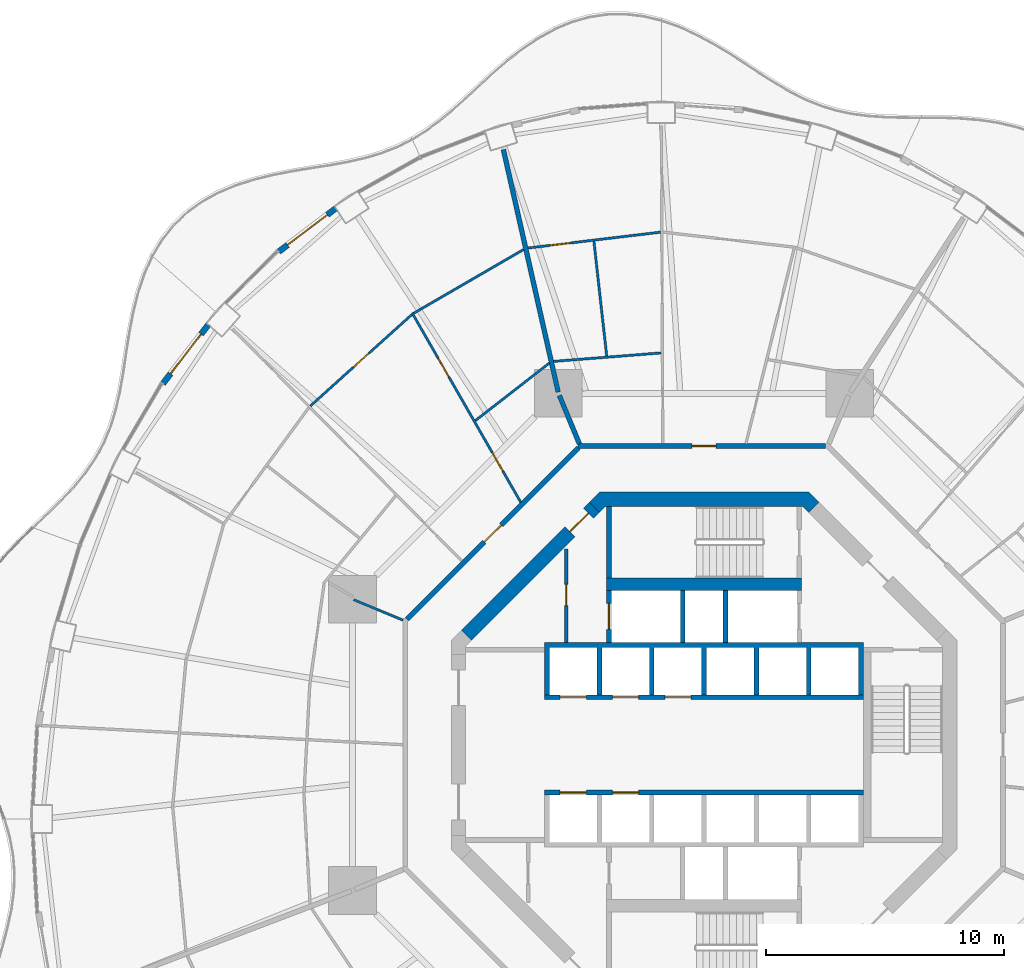
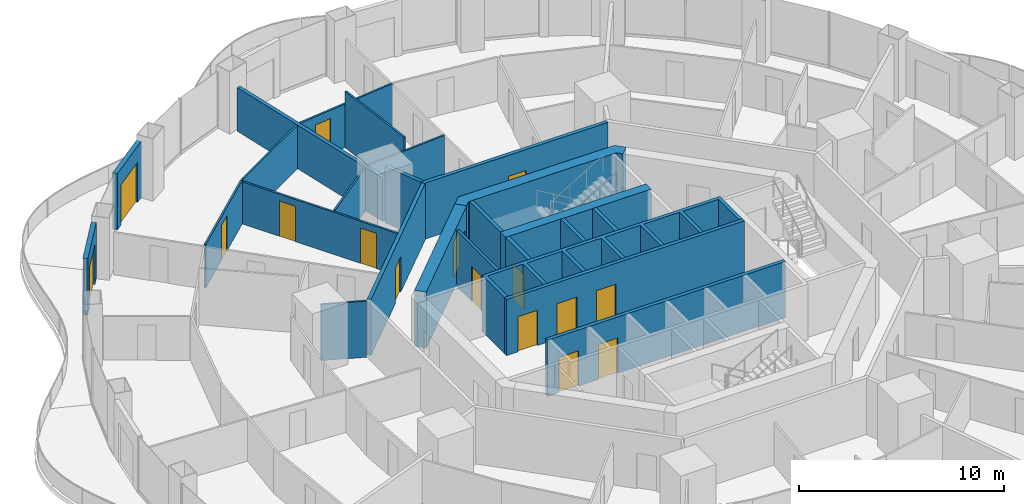
# One storey, part 16 of 21: 25 walls, 16 doors, 16 openings.
"""IFC4 building model written with IfcOpenShell, lengths in metres."""

from ifc_helpers import new_model, si_unit, direction, frame, frame_2d, origin, place, context, subcontext, project, spatial, polyline, rectangle, outline, extrude, material, layer, layer_set, type_object, element, fill, save


model = new_model("IFC4")

# Units and contexts
model_context = context("Model", 3, precision=1e-05, world=origin(), true_north=direction((0.0, 1.0)))
body_context = subcontext(model_context, "Body", "Model", "MODEL_VIEW")
ifc_project = project(units=[si_unit("LENGTHUNIT", "METRE"), si_unit("AREAUNIT", "SQUARE_METRE"), si_unit("VOLUMEUNIT", "CUBIC_METRE"), si_unit("PLANEANGLEUNIT", "RADIAN"), si_unit("MASSUNIT", "GRAM", prefix="KILO")], contexts=[model_context])

# Site, building, storey
site_placement = place(None, origin())
site = spatial("IfcSite", under=ifc_project, at=site_placement, CompositionType="ELEMENT")
building_placement = place(site_placement, origin())
building = spatial("IfcBuilding", under=site, at=building_placement, Name="Nagisa Residences", CompositionType="ELEMENT")
storey_placement = place(building_placement, frame((0.0, 0.0, 156.60009765625)))
storey = spatial("IfcBuildingStorey", under=building, at=storey_placement, Name="L39", CompositionType="ELEMENT", Elevation=156.60009765625)

# Walls
ifc_material_1 = material(Name="Gypsum board on steel studs", Category="steel")
ifc_layer_1 = layer(ifc_material_1, 0.199951171875)
ifc_layer_set_1 = layer_set([ifc_layer_1], Name="Apartment compartment wall EI60 200")
wall_type_1 = type_object("IfcWallType", Name="Apartment compartment wall EI60 200", PredefinedType="PARTITIONING", material=ifc_layer_set_1)
wall_1_placement = place(storey_placement, frame((-5.24267578125, 12.6572265625, 0.0), z_axis=(0.0, 0.0, 1.0), x_axis=(-0.38273085373, 0.923859888513, 0.0)))
element("IfcWall", 1, at=wall_1_placement, inside=storey, type_object=wall_type_1, Name="wall:L39:u04", PredefinedType="PARTITIONING", context=body_context, shape_type="SweptSolid", body=[
    extrude(rectangle(XDim=2.199462890625, YDim=0.199951171875, at=frame_2d((1.099609375, 0.0))), origin(), (0.0, 0.0, 1.0), 3.349853515625),
])
wall_2_placement = place(storey_placement, frame((-6.1337890625, 14.830810546875, 0.0), z_axis=(0.0, 0.0, 1.0), x_axis=(-0.220337590808, 0.975423675167, 0.0)))
element("IfcWall", 2, at=wall_2_placement, inside=storey, type_object=wall_type_1, Name="wall:L39:u05", PredefinedType="PARTITIONING", context=body_context, shape_type="SweptSolid", body=[
    extrude(rectangle(XDim=10.450927734375, YDim=0.199951171875, at=frame_2d((5.2255859375, 0.0))), origin(), (0.0, 0.0, 1.0), 2.596923828125),
])

# Wall, opening, door
ifc_material_2 = material(Name="Gypsum board on steel studs", Category="steel")
ifc_layer_2 = layer(ifc_material_2, 0.199951171875)
ifc_layer_set_2 = layer_set([ifc_layer_2], Name="Apartment entry wall EI60 200")
wall_type_2 = type_object("IfcWallType", Name="Apartment entry wall EI60 200", PredefinedType="PARTITIONING", material=ifc_layer_set_2)
wall_3_placement = place(storey_placement, frame((5.1044921875, 12.564697265625, 0.0), z_axis=(0.0, 0.0, 1.0), x_axis=(-1.0, 0.0, 0.0)))
wall_3 = element("IfcWall", 3, at=wall_3_placement, inside=storey, type_object=wall_type_2, Name="wall:L39:u14", PredefinedType="PARTITIONING", context=body_context, shape_type="SweptSolid", body=[
    extrude(rectangle(XDim=10.408935546875, YDim=0.199951171875, at=frame_2d((5.20458984375, 0.0))), origin(), (0.0, 0.0, 1.0), 3.349853515625),
])
opening_1_placement = place(wall_3_placement, frame((4.6044921875, 0.0, 0.0)))
opening_1 = element("IfcOpeningElement", 4, at=opening_1_placement, cuts=wall_3, Name="Opening L39-U24", PredefinedType="OPENING", context=body_context, shape_type="SweptSolid", body=[
    extrude(rectangle(XDim=1.0, YDim=2.10009765625, at=frame_2d((0.5, 1.050048828125))), frame((0.0, 0.10986328125, 0.0), z_axis=(0.0, -1.0, 0.0), x_axis=(1.0, 0.0, 0.0)), (0.0, 0.0, 1.0), 0.219970703125),
])
ifc_material_3 = material(Name="Timber fire door set", Category="wood")
door_type_1 = type_object("IfcDoorType", Name="Apartment entry door FD30S 1000x2100", OperationType="NOTDEFINED", PredefinedType="DOOR", material=ifc_material_3)
door_1_placement = place(opening_1_placement, frame((1.0, 0.0, 0.0), x_axis=(-1.0, 0.0, 0.0)))
door_1 = element("IfcDoor", 5, at=door_1_placement, inside=storey, type_object=door_type_1, Name="Entry door, Apartment 39D", OperationType="SINGLE_SWING_LEFT", OverallHeight=2.10009765625, OverallWidth=1.0, PredefinedType="DOOR", context=body_context, shape_type="SweptSolid", body=[
    extrude(rectangle(XDim=1.0, YDim=2.10009765625, at=frame_2d((0.5, 1.050048828125))), frame((0.0, 0.02490234375, 0.0), z_axis=(0.0, -1.0, 0.0), x_axis=(1.0, 0.0, 0.0)), (0.0, 0.0, 1.0), 0.050048828125),
])
fill(opening_1, door_1)

wall_4_placement = place(storey_placement, frame((-5.275146484375, 12.494140625, 0.0), z_axis=(0.0, 0.0, 1.0), x_axis=(-0.707106781187, -0.707106781187, 0.0)))
wall_4 = element("IfcWall", 6, at=wall_4_placement, inside=storey, type_object=wall_type_2, Name="wall:L39:u15", PredefinedType="PARTITIONING", context=body_context, shape_type="SweptSolid", body=[
    extrude(rectangle(XDim=10.209228515625, YDim=0.199951171875, at=frame_2d((5.1044921875, 0.0))), origin(), (0.0, 0.0, 1.0), 3.349853515625),
])
opening_2_placement = place(wall_4_placement, frame((4.6044921875, 0.0, 0.0)))
opening_2 = element("IfcOpeningElement", 7, at=opening_2_placement, cuts=wall_4, Name="Opening L39-U32", PredefinedType="OPENING", context=body_context, shape_type="SweptSolid", body=[
    extrude(rectangle(XDim=1.0, YDim=2.10009765625, at=frame_2d((0.5, 1.050048828125))), frame((0.0, 0.10986328125, 0.0), z_axis=(0.0, -1.0, 0.0), x_axis=(1.0, 0.0, 0.0)), (0.0, 0.0, 1.0), 0.219970703125),
])
door_2_placement = place(opening_2_placement, frame((1.0, 0.0, 0.0), x_axis=(-1.0, 0.0, 0.0)))
door_2 = element("IfcDoor", 8, at=door_2_placement, inside=storey, type_object=door_type_1, Name="Entry door, Apartment 39E", OperationType="SINGLE_SWING_LEFT", OverallHeight=2.10009765625, OverallWidth=1.0, PredefinedType="DOOR", context=body_context, shape_type="SweptSolid", body=[
    extrude(rectangle(XDim=1.0, YDim=2.10009765625, at=frame_2d((0.5, 1.050048828125))), frame((0.0, 0.02490234375, 0.0), z_axis=(0.0, -1.0, 0.0), x_axis=(1.0, 0.0, 0.0)), (0.0, 0.0, 1.0), 0.050048828125),
])
fill(opening_2, door_2)

# Wall
ifc_material_4 = material(Name="Gypsum board on steel studs", Category="steel")
ifc_layer_3 = layer(ifc_material_4, 0.10009765625)
ifc_layer_set_3 = layer_set([ifc_layer_3], Name="Apartment partition 100")
wall_type_3 = type_object("IfcWallType", Name="Apartment partition 100", PredefinedType="PARTITIONING", material=ifc_layer_set_3)
wall_5_placement = place(storey_placement, frame((-1.80224609375, 16.479248046875, 0.0), z_axis=(0.0, 0.0, 1.0), x_axis=(-0.996907698294, -0.078581429625, 0.0)))
element("IfcWall", 9, at=wall_5_placement, inside=storey, type_object=wall_type_3, Name="wall:L39:u40", PredefinedType="PARTITIONING", context=body_context, shape_type="SweptSolid", body=[
    extrude(rectangle(XDim=4.535888671875, YDim=0.10009765625, at=frame_2d((2.26806640625, 0.0))), origin(), (0.0, 0.0, 1.0), 2.596923828125),
])

# Wall, opening, door
wall_6_placement = place(storey_placement, frame((-1.824951171875, 21.556640625, 0.0), z_axis=(0.0, 0.0, 1.0), x_axis=(-0.992915053711, -0.11882632753, 0.0)))
wall_6 = element("IfcWall", 10, at=wall_6_placement, inside=storey, type_object=wall_type_3, Name="wall:L39:u41", PredefinedType="PARTITIONING", context=body_context, shape_type="SweptSolid", body=[
    extrude(rectangle(XDim=5.615234375, YDim=0.10009765625, at=frame_2d((2.8076171875, 0.0))), origin(), (0.0, 0.0, 1.0), 2.596923828125),
])
opening_3_placement = place(wall_6_placement, frame((3.77392578125, 0.0, 0.0)))
opening_3 = element("IfcOpeningElement", 11, at=opening_3_placement, cuts=wall_6, Name="Opening L39-U31", PredefinedType="OPENING", context=body_context, shape_type="SweptSolid", body=[
    extrude(rectangle(XDim=0.89990234375, YDim=2.10009765625, at=frame_2d((0.449951171875, 1.050048828125))), frame((0.0, 0.06005859375, 0.0), z_axis=(0.0, -1.0, 0.0), x_axis=(1.0, 0.0, 0.0)), (0.0, 0.0, 1.0), 0.1201171875),
])
ifc_material_5 = material(Name="Timber door set", Category="wood")
door_type_2 = type_object("IfcDoorType", Name="Apartment door 900x2100", OperationType="NOTDEFINED", PredefinedType="DOOR", material=ifc_material_5)
door_3_placement = place(opening_3_placement, origin())
door_3 = element("IfcDoor", 12, at=door_3_placement, inside=storey, type_object=door_type_2, Name="Door to en-suite bathroom, Apartment 39D", OperationType="SINGLE_SWING_LEFT", OverallHeight=2.10009765625, OverallWidth=0.89990234375, PredefinedType="DOOR", context=body_context, shape_type="SweptSolid", body=[
    extrude(rectangle(XDim=0.89990234375, YDim=2.10009765625, at=frame_2d((0.449951171875, 1.050048828125))), frame((0.0, 0.02490234375, 0.0), z_axis=(0.0, -1.0, 0.0), x_axis=(1.0, 0.0, 0.0)), (0.0, 0.0, 1.0), 0.050048828125),
])
fill(opening_3, door_3)

# Walls
wall_7_placement = place(storey_placement, frame((-4.09375, 16.348876953125, 0.0), z_axis=(0.0, 0.0, 1.0), x_axis=(-0.110961740678, 0.993824678757, 0.0)))
element("IfcWall", 13, at=wall_7_placement, inside=storey, type_object=wall_type_3, Name="wall:L39:u42", PredefinedType="PARTITIONING", context=body_context, shape_type="SweptSolid", body=[
    extrude(rectangle(XDim=4.8515625, YDim=0.10009765625, at=frame_2d((2.42578125, 0.0))), origin(), (0.0, 0.0, 1.0), 3.349853515625),
])
wall_8_placement = place(storey_placement, frame((-6.5029296875, 16.0537109375, 0.0), z_axis=(0.0, 0.0, 1.0), x_axis=(-0.789428807693, -0.613842127574, 0.0)))
element("IfcWall", 14, at=wall_8_placement, inside=storey, type_object=wall_type_3, Name="wall:L39:u43", PredefinedType="PARTITIONING", context=body_context, shape_type="SweptSolid", body=[
    extrude(rectangle(XDim=3.947509765625, YDim=0.10009765625, at=frame_2d((1.9736328125, 0.0))), origin(), (0.0, 0.0, 1.0), 2.596923828125),
])
wall_9_placement = place(storey_placement, frame((-7.586181640625, 20.827392578125, 0.0), z_axis=(0.0, 0.0, 1.0), x_axis=(-0.865093450578, -0.501610727325, 0.0)))
element("IfcWall", 15, at=wall_9_placement, inside=storey, type_object=wall_type_3, Name="wall:L39:u44", PredefinedType="PARTITIONING", context=body_context, shape_type="SweptSolid", body=[
    extrude(rectangle(XDim=5.343017578125, YDim=0.10009765625, at=frame_2d((2.67138671875, 0.0))), origin(), (0.0, 0.0, 1.0), 2.596923828125),
])

# Wall, openings, doors
wall_10_placement = place(storey_placement, frame((-7.707763671875, 10.197998046875, 0.0), z_axis=(0.0, 0.0, 1.0), x_axis=(-0.497449462689, 0.867492957937, 0.0)))
wall_10 = element("IfcWall", 16, at=wall_10_placement, inside=storey, type_object=wall_type_3, Name="wall:L39:u45", PredefinedType="PARTITIONING", context=body_context, shape_type="SweptSolid", body=[
    extrude(rectangle(XDim=9.1845703125, YDim=0.10009765625, at=frame_2d((4.59228515625, 0.0))), origin(), (0.0, 0.0, 1.0), 2.514892578125),
])
opening_4_placement = place(wall_10_placement, frame((1.5107421875, 0.0, 0.0)))
opening_4 = element("IfcOpeningElement", 17, at=opening_4_placement, cuts=wall_10, Name="Opening L39-U33", PredefinedType="OPENING", context=body_context, shape_type="SweptSolid", body=[
    extrude(rectangle(XDim=0.89990234375, YDim=2.10009765625, at=frame_2d((0.449951171875, 1.050048828125))), frame((0.0, 0.06005859375, 0.0), z_axis=(0.0, -1.0, 0.0), x_axis=(1.0, 0.0, 0.0)), (0.0, 0.0, 1.0), 0.1201171875),
])
opening_5_placement = place(wall_10_placement, frame((6.077880859375, 0.0, 0.0)))
opening_5 = element("IfcOpeningElement", 18, at=opening_5_placement, cuts=wall_10, Name="Opening L39-U35", PredefinedType="OPENING", context=body_context, shape_type="SweptSolid", body=[
    extrude(rectangle(XDim=0.89990234375, YDim=2.10009765625, at=frame_2d((0.449951171875, 1.050048828125))), frame((0.0, 0.06005859375, 0.0), z_axis=(0.0, -1.0, 0.0), x_axis=(1.0, 0.0, 0.0)), (0.0, 0.0, 1.0), 0.1201171875),
])
door_4_placement = place(opening_4_placement, frame((0.89990234375, 0.0, 0.0), x_axis=(-1.0, 0.0, 0.0)))
door_4 = element("IfcDoor", 19, at=door_4_placement, inside=storey, type_object=door_type_2, Name="Door to store, Apartment 39E", OperationType="SINGLE_SWING_RIGHT", OverallHeight=2.10009765625, OverallWidth=0.89990234375, PredefinedType="DOOR", context=body_context, shape_type="SweptSolid", body=[
    extrude(rectangle(XDim=0.89990234375, YDim=2.10009765625, at=frame_2d((0.449951171875, 1.050048828125))), frame((0.0, 0.02490234375, 0.0), z_axis=(0.0, -1.0, 0.0), x_axis=(1.0, 0.0, 0.0)), (0.0, 0.0, 1.0), 0.050048828125),
])
fill(opening_4, door_4)
door_5_placement = place(opening_5_placement, frame((0.89990234375, 0.0, 0.0), x_axis=(-1.0, 0.0, 0.0)))
door_5 = element("IfcDoor", 20, at=door_5_placement, inside=storey, type_object=door_type_2, Name="Door to study, Apartment 39E", OperationType="SINGLE_SWING_RIGHT", OverallHeight=2.10009765625, OverallWidth=0.89990234375, PredefinedType="DOOR", context=body_context, shape_type="SweptSolid", body=[
    extrude(rectangle(XDim=0.89990234375, YDim=2.10009765625, at=frame_2d((0.449951171875, 1.050048828125))), frame((0.0, 0.02490234375, 0.0), z_axis=(0.0, -1.0, 0.0), x_axis=(1.0, 0.0, 0.0)), (0.0, 0.0, 1.0), 0.050048828125),
])
fill(opening_5, door_5)

# Wall, opening, door
wall_11_placement = place(storey_placement, frame((-12.2890625, 18.088623046875, 0.0), z_axis=(0.0, 0.0, 1.0), x_axis=(-0.743146066164, -0.669129228435, 0.0)))
wall_11 = element("IfcWall", 21, at=wall_11_placement, inside=storey, type_object=wall_type_3, Name="wall:L39:u46", PredefinedType="PARTITIONING", context=body_context, shape_type="SweptSolid", body=[
    extrude(rectangle(XDim=5.7392578125, YDim=0.10009765625, at=frame_2d((2.86962890625, 0.0))), origin(), (0.0, 0.0, 1.0), 2.596923828125),
])
opening_6_placement = place(wall_11_placement, frame((2.419677734375, 0.0, 0.0)))
opening_6 = element("IfcOpeningElement", 22, at=opening_6_placement, cuts=wall_11, Name="Opening L39-U37", PredefinedType="OPENING", context=body_context, shape_type="SweptSolid", body=[
    extrude(rectangle(XDim=0.89990234375, YDim=2.10009765625, at=frame_2d((0.449951171875, 1.050048828125))), frame((0.0, 0.06005859375, 0.0), z_axis=(0.0, -1.0, 0.0), x_axis=(1.0, 0.0, 0.0)), (0.0, 0.0, 1.0), 0.1201171875),
])
door_6_placement = place(opening_6_placement, frame((0.89990234375, 0.0, 0.0), x_axis=(-1.0, 0.0, 0.0)))
door_6 = element("IfcDoor", 23, at=door_6_placement, inside=storey, type_object=door_type_2, Name="Door to living room, Apartment 39E", OperationType="SINGLE_SWING_RIGHT", OverallHeight=2.10009765625, OverallWidth=0.89990234375, PredefinedType="DOOR", context=body_context, shape_type="SweptSolid", body=[
    extrude(rectangle(XDim=0.89990234375, YDim=2.10009765625, at=frame_2d((0.449951171875, 1.050048828125))), frame((0.0, 0.02490234375, 0.0), z_axis=(0.0, -1.0, 0.0), x_axis=(1.0, 0.0, 0.0)), (0.0, 0.0, 1.0), 0.050048828125),
])
fill(opening_6, door_6)

# Wall
wall_12_placement = place(storey_placement, frame((-12.6572265625, 5.24267578125, 0.0), z_axis=(0.0, 0.0, 1.0), x_axis=(-0.923864733477, 0.382719158442, 0.0)))
element("IfcWall", 24, at=wall_12_placement, inside=storey, type_object=wall_type_3, Name="wall:L39:u51", PredefinedType="PARTITIONING", context=body_context, shape_type="SweptSolid", body=[
    extrude(rectangle(XDim=2.25, YDim=0.10009765625, at=frame_2d((1.125, 0.0))), origin(), (0.0, 0.0, 1.0), 3.349853515625),
])

# Wall, opening, door
ifc_material_6 = material(Name="Precast concrete C40/50", Category="concrete")
ifc_layer_4 = layer(ifc_material_6, 0.25)
ifc_layer_set_4 = layer_set([ifc_layer_4], Name="BALCONY DOOR WALL 250")
wall_type_4 = type_object("IfcWallType", Name="BALCONY DOOR WALL 250", PredefinedType="SOLIDWALL", material=ifc_layer_set_4)
wall_13_placement = place(storey_placement, frame((-17.8779296875, 20.738037109375, 0.0), z_axis=(0.0, 0.0, 1.0), x_axis=(0.796022231079, 0.605267385233, 0.0)))
wall_13 = element("IfcWall", 25, at=wall_13_placement, inside=storey, type_object=wall_type_4, Name="wall:L39:bay16", PredefinedType="SOLIDWALL", context=body_context, shape_type="SweptSolid", body=[
    extrude(rectangle(XDim=3.025634765625, YDim=0.25, at=frame_2d((1.5126953125, 0.0))), origin(), (0.0, 0.0, 1.0), 3.349853515625),
])
opening_7_placement = place(wall_13_placement, frame((0.462646484375, 0.0, 0.0)))
opening_7 = element("IfcOpeningElement", 26, at=opening_7_placement, cuts=wall_13, Name="Opening BD-L39-06", PredefinedType="OPENING", context=body_context, shape_type="SweptSolid", body=[
    extrude(rectangle(XDim=2.10009765625, YDim=2.39990234375, at=frame_2d((1.050048828125, 1.199951171875))), frame((0.0, 0.135009765625, 0.0), z_axis=(0.0, -1.0, 0.0), x_axis=(1.0, 0.0, 0.0)), (0.0, 0.0, 1.0), 0.27001953125),
])
ifc_material_7 = material(Name="Aluminium and clear glass", Category="aluminium")
door_type_3 = type_object("IfcDoorType", Name="BALCONY SLIDING DOOR 2100x2400", OperationType="SLIDING_TO_LEFT", PredefinedType="DOOR", material=ifc_material_7)
door_7_placement = place(opening_7_placement, origin())
door_7 = element("IfcDoor", 27, at=door_7_placement, inside=storey, type_object=door_type_3, Name="door:L39:bay16", OperationType="SLIDING_TO_LEFT", OverallHeight=2.39990234375, OverallWidth=2.10009765625, PredefinedType="DOOR", context=body_context, shape_type="SweptSolid", body=[
    extrude(rectangle(XDim=2.10009765625, YDim=2.39990234375, at=frame_2d((1.050048828125, 1.199951171875))), frame((0.0, 0.02490234375, 0.0), z_axis=(0.0, -1.0, 0.0), x_axis=(1.0, 0.0, 0.0)), (0.0, 0.0, 1.0), 0.050048828125),
])
fill(opening_7, door_7)

wall_14_placement = place(storey_placement, frame((-22.752685546875, 15.1875, 0.0), z_axis=(0.0, 0.0, 1.0), x_axis=(0.610429847179, 0.792070326217, 0.0)))
wall_14 = element("IfcWall", 28, at=wall_14_placement, inside=storey, type_object=wall_type_4, Name="wall:L39:bay18", PredefinedType="SOLIDWALL", context=body_context, shape_type="SweptSolid", body=[
    extrude(rectangle(XDim=3.149169921875, YDim=0.25, at=frame_2d((1.57470703125, 0.0))), origin(), (0.0, 0.0, 1.0), 3.349853515625),
])
opening_8_placement = place(wall_14_placement, frame((0.524658203125, 0.0, 0.0)))
opening_8 = element("IfcOpeningElement", 29, at=opening_8_placement, cuts=wall_14, Name="Opening BD-L39-07", PredefinedType="OPENING", context=body_context, shape_type="SweptSolid", body=[
    extrude(rectangle(XDim=2.10009765625, YDim=2.39990234375, at=frame_2d((1.050048828125, 1.199951171875))), frame((0.0, 0.135009765625, 0.0), z_axis=(0.0, -1.0, 0.0), x_axis=(1.0, 0.0, 0.0)), (0.0, 0.0, 1.0), 0.27001953125),
])
door_8_placement = place(opening_8_placement, origin())
door_8 = element("IfcDoor", 30, at=door_8_placement, inside=storey, type_object=door_type_3, Name="door:L39:bay18", OperationType="SLIDING_TO_LEFT", OverallHeight=2.39990234375, OverallWidth=2.10009765625, PredefinedType="DOOR", context=body_context, shape_type="SweptSolid", body=[
    extrude(rectangle(XDim=2.10009765625, YDim=2.39990234375, at=frame_2d((1.050048828125, 1.199951171875))), frame((0.0, 0.02490234375, 0.0), z_axis=(0.0, -1.0, 0.0), x_axis=(1.0, 0.0, 0.0)), (0.0, 0.0, 1.0), 0.050048828125),
])
fill(opening_8, door_8)

ifc_material_8 = material(Name="Gypsum board on steel studs", Category="steel")
ifc_layer_5 = layer(ifc_material_8, 0.14990234375)
ifc_layer_set_5 = layer_set([ifc_layer_5], Name="Core partition 150")
wall_type_5 = type_object("IfcWallType", Name="Core partition 150", PredefinedType="PARTITIONING", material=ifc_layer_set_5)
wall_15_placement = place(storey_placement, frame((-5.800048828125, 4.300048828125, 0.0), z_axis=(0.0, 0.0, 1.0), x_axis=(0.0, 1.0, 0.0)))
wall_15 = element("IfcWall", 31, at=wall_15_placement, inside=storey, type_object=wall_type_5, Name="wall:L39:NWp", PredefinedType="PARTITIONING", context=body_context, shape_type="SweptSolid", body=[
    extrude(rectangle(XDim=3.927001953125, YDim=0.14990234375, at=frame_2d((1.96337890625, 0.0))), origin(), (0.0, 0.0, 1.0), 3.349853515625),
])
opening_9_placement = place(wall_15_placement, frame((1.551025390625, 0.0, 0.0)))
opening_9 = element("IfcOpeningElement", 32, at=opening_9_placement, cuts=wall_15, Name="Opening L39-C12", PredefinedType="OPENING", context=body_context, shape_type="SweptSolid", body=[
    extrude(rectangle(XDim=0.89990234375, YDim=2.10009765625, at=frame_2d((0.449951171875, 1.050048828125))), frame((0.0, 0.0849609375, 0.0), z_axis=(0.0, -1.0, 0.0), x_axis=(1.0, 0.0, 0.0)), (0.0, 0.0, 1.0), 0.169921875),
])
ifc_material_9 = material(Name="Steel fire door", Category="steel")
door_type_4 = type_object("IfcDoorType", Name="Fire door EI30 900x2100 single swing", OperationType="NOTDEFINED", PredefinedType="DOOR", material=ifc_material_9)
door_9_placement = place(opening_9_placement, origin())
door_9 = element("IfcDoor", 33, at=door_9_placement, inside=storey, type_object=door_type_4, Name="Hose reel room door L39", OperationType="SINGLE_SWING_LEFT", OverallHeight=2.10009765625, OverallWidth=0.89990234375, PredefinedType="DOOR", context=body_context, shape_type="SweptSolid", body=[
    extrude(rectangle(XDim=0.89990234375, YDim=2.10009765625, at=frame_2d((0.449951171875, 1.050048828125))), frame((0.0, 0.02490234375, 0.0), z_axis=(0.0, -1.0, 0.0), x_axis=(1.0, 0.0, 0.0)), (0.0, 0.0, 1.0), 0.050048828125),
])
fill(opening_9, door_9)

ifc_material_10 = material(Name="Concrete C60", Category="concrete")
ifc_layer_6 = layer(ifc_material_10, 0.60009765625)
ifc_layer_set_6 = layer_set([ifc_layer_6], Name="Core shear wall 600")
wall_type_6 = type_object("IfcWallType", Name="Core shear wall 600", PredefinedType="SHEAR", material=ifc_layer_set_6)
wall_16_placement = place(storey_placement, frame((-4.613037109375, 9.98828125, 0.0), z_axis=(0.0, 0.0, 1.0), x_axis=(-0.707106781187, -0.707106781187, 0.0)))
wall_16 = element("IfcWall", 34, at=wall_16_placement, inside=storey, type_object=wall_type_6, Name="wall:L39:core:flat3", PredefinedType="SHEAR", context=body_context, shape_type="SweptSolid", body=[
    extrude(rectangle(XDim=7.601806640625, YDim=0.60009765625, at=frame_2d((3.80078125, 0.0))), origin(), (0.0, 0.0, 1.0), 3.349853515625),
])
opening_10_placement = place(wall_16_placement, frame((0.350830078125, 0.0, 0.0)))
opening_10 = element("IfcOpeningElement", 35, at=opening_10_placement, cuts=wall_16, Name="Opening L39-C19", PredefinedType="OPENING", context=body_context, shape_type="SweptSolid", body=[
    extrude(rectangle(XDim=1.10009765625, YDim=2.10009765625, at=frame_2d((0.550048828125, 1.050048828125))), frame((0.0, 0.31005859375, 0.0), z_axis=(0.0, -1.0, 0.0), x_axis=(1.0, 0.0, 0.0)), (0.0, 0.0, 1.0), 0.6201171875),
])
ifc_material_11 = material(Name="Steel fire door", Category="steel")
door_type_5 = type_object("IfcDoorType", Name="Fire door EI60 1100x2100 single swing", OperationType="NOTDEFINED", PredefinedType="DOOR", material=ifc_material_11)
door_10_placement = place(opening_10_placement, origin())
door_10 = element("IfcDoor", 36, at=door_10_placement, inside=storey, type_object=door_type_5, Name="Service lobby door L39", OperationType="SINGLE_SWING_LEFT", OverallHeight=2.10009765625, OverallWidth=1.10009765625, PredefinedType="DOOR", context=body_context, shape_type="SweptSolid", body=[
    extrude(rectangle(XDim=1.10009765625, YDim=2.10009765625, at=frame_2d((0.550048828125, 1.050048828125))), frame((0.0, 0.02490234375, 0.0), z_axis=(0.0, -1.0, 0.0), x_axis=(1.0, 0.0, 0.0)), (0.0, 0.0, 1.0), 0.050048828125),
])
fill(opening_10, door_10)

# Wall
wall_17_placement = place(storey_placement, origin())
element("IfcWall", 37, at=wall_17_placement, inside=storey, type_object=wall_type_6, Name="wall:L39:core:flat2", PredefinedType="SHEAR", context=body_context, shape_type="SweptSolid", body=[
    extrude(outline(polyline([(-4.15234375, 10.024658203125), (-4.40087890625, 9.776123046875), (-4.8251953125, 10.200439453125), (-4.40087890625, 10.62451171875), (4.40087890625, 10.62451171875), (4.8251953125, 10.200439453125), (4.40087890625, 9.776123046875), (4.15234375, 10.024658203125), (-4.15234375, 10.024658203125)])), origin(), (0.0, 0.0, 1.0), 3.349853515625),
])

# Wall, opening, door
ifc_material_12 = material(Name="Concrete C60", Category="concrete")
ifc_layer_7 = layer(ifc_material_12, 0.199951171875)
ifc_layer_set_7 = layer_set([ifc_layer_7], Name="Lift shaft wall 200")
wall_type_7 = type_object("IfcWallType", Name="Lift shaft wall 200", PredefinedType="SOLIDWALL", material=ifc_layer_set_7)
wall_18_placement = place(storey_placement, frame((-4.0, 4.300048828125, 0.0), z_axis=(0.0, 0.0, 1.0), x_axis=(0.0, 1.0, 0.0)))
wall_18 = element("IfcWall", 38, at=wall_18_placement, inside=storey, type_object=wall_type_7, Name="wall:L39:Nb4", PredefinedType="SOLIDWALL", context=body_context, shape_type="SweptSolid", body=[
    extrude(rectangle(XDim=2.199951171875, YDim=0.199951171875, at=frame_2d((1.10009765625, 0.0))), origin(), (0.0, 0.0, 1.0), 3.349853515625),
])
opening_11_placement = place(wall_18_placement, frame((0.550048828125, 0.0, 0.0)))
opening_11 = element("IfcOpeningElement", 39, at=opening_11_placement, cuts=wall_18, Name="Opening L39-C08", PredefinedType="OPENING", context=body_context, shape_type="SweptSolid", body=[
    extrude(rectangle(XDim=1.10009765625, YDim=2.10009765625, at=frame_2d((0.550048828125, 1.050048828125))), frame((0.0, 0.10986328125, 0.0), z_axis=(0.0, -1.0, 0.0), x_axis=(1.0, 0.0, 0.0)), (0.0, 0.0, 1.0), 0.219970703125),
])
ifc_material_13 = material(Name="Stainless steel", Category="steel")
door_type_6 = type_object("IfcDoorType", Name="Lift landing door 1100x2100", OperationType="DOUBLE_DOOR_SLIDING", PredefinedType="DOOR", material=ifc_material_13)
door_11_placement = place(opening_11_placement, origin())
door_11 = element("IfcDoor", 40, at=door_11_placement, inside=storey, type_object=door_type_6, Name="Landing door SV L39", OperationType="DOUBLE_DOOR_SLIDING", OverallHeight=2.10009765625, OverallWidth=1.10009765625, PredefinedType="DOOR", context=body_context, shape_type="SweptSolid", body=[
    extrude(rectangle(XDim=1.10009765625, YDim=2.10009765625, at=frame_2d((0.550048828125, 1.050048828125))), frame((0.0, 0.02490234375, 0.0), z_axis=(0.0, -1.0, 0.0), x_axis=(1.0, 0.0, 0.0)), (0.0, 0.0, 1.0), 0.050048828125),
])
fill(opening_11, door_11)

# Wall, openings, doors
wall_19_placement = place(storey_placement, frame((-6.699951171875, 2.0, 0.0), z_axis=(0.0, 0.0, 1.0), x_axis=(1.0, 0.0, 0.0)))
wall_19 = element("IfcWall", 41, at=wall_19_placement, inside=storey, type_object=wall_type_7, Name="wall:L39:Nfront", PredefinedType="SOLIDWALL", context=body_context, shape_type="SweptSolid", body=[
    extrude(rectangle(XDim=13.39990234375, YDim=0.199951171875, at=frame_2d((6.699951171875, 0.0))), origin(), (0.0, 0.0, 1.0), 3.349853515625),
])
opening_12_placement = place(wall_19_placement, frame((0.64990234375, 0.0, 0.0)))
opening_12 = element("IfcOpeningElement", 42, at=opening_12_placement, cuts=wall_19, Name="Opening L39-C01", PredefinedType="OPENING", context=body_context, shape_type="SweptSolid", body=[
    extrude(rectangle(XDim=1.10009765625, YDim=2.10009765625, at=frame_2d((0.550048828125, 1.050048828125))), frame((0.0, 0.10986328125, 0.0), z_axis=(0.0, -1.0, 0.0), x_axis=(1.0, 0.0, 0.0)), (0.0, 0.0, 1.0), 0.219970703125),
])
opening_13_placement = place(wall_19_placement, frame((2.85009765625, 0.0, 0.0)))
opening_13 = element("IfcOpeningElement", 43, at=opening_13_placement, cuts=wall_19, Name="Opening L39-C02", PredefinedType="OPENING", context=body_context, shape_type="SweptSolid", body=[
    extrude(rectangle(XDim=1.10009765625, YDim=2.10009765625, at=frame_2d((0.550048828125, 1.050048828125))), frame((0.0, 0.10986328125, 0.0), z_axis=(0.0, -1.0, 0.0), x_axis=(1.0, 0.0, 0.0)), (0.0, 0.0, 1.0), 0.219970703125),
])
opening_14_placement = place(wall_19_placement, frame((5.050048828125, 0.0, 0.0)))
opening_14 = element("IfcOpeningElement", 44, at=opening_14_placement, cuts=wall_19, Name="Opening L39-C03", PredefinedType="OPENING", context=body_context, shape_type="SweptSolid", body=[
    extrude(rectangle(XDim=1.10009765625, YDim=2.10009765625, at=frame_2d((0.550048828125, 1.050048828125))), frame((0.0, 0.10986328125, 0.0), z_axis=(0.0, -1.0, 0.0), x_axis=(1.0, 0.0, 0.0)), (0.0, 0.0, 1.0), 0.219970703125),
])
door_12_placement = place(opening_12_placement, origin())
door_12 = element("IfcDoor", 45, at=door_12_placement, inside=storey, type_object=door_type_6, Name="Landing door A1 L39", OperationType="DOUBLE_DOOR_SLIDING", OverallHeight=2.10009765625, OverallWidth=1.10009765625, PredefinedType="DOOR", context=body_context, shape_type="SweptSolid", body=[
    extrude(rectangle(XDim=1.10009765625, YDim=2.10009765625, at=frame_2d((0.550048828125, 1.050048828125))), frame((0.0, 0.02490234375, 0.0), z_axis=(0.0, -1.0, 0.0), x_axis=(1.0, 0.0, 0.0)), (0.0, 0.0, 1.0), 0.050048828125),
])
fill(opening_12, door_12)
door_13_placement = place(opening_13_placement, origin())
door_13 = element("IfcDoor", 46, at=door_13_placement, inside=storey, type_object=door_type_6, Name="Landing door A2 L39", OperationType="DOUBLE_DOOR_SLIDING", OverallHeight=2.10009765625, OverallWidth=1.10009765625, PredefinedType="DOOR", context=body_context, shape_type="SweptSolid", body=[
    extrude(rectangle(XDim=1.10009765625, YDim=2.10009765625, at=frame_2d((0.550048828125, 1.050048828125))), frame((0.0, 0.02490234375, 0.0), z_axis=(0.0, -1.0, 0.0), x_axis=(1.0, 0.0, 0.0)), (0.0, 0.0, 1.0), 0.050048828125),
])
fill(opening_13, door_13)
door_14_placement = place(opening_14_placement, origin())
door_14 = element("IfcDoor", 47, at=door_14_placement, inside=storey, type_object=door_type_6, Name="Landing door A3 L39", OperationType="DOUBLE_DOOR_SLIDING", OverallHeight=2.10009765625, OverallWidth=1.10009765625, PredefinedType="DOOR", context=body_context, shape_type="SweptSolid", body=[
    extrude(rectangle(XDim=1.10009765625, YDim=2.10009765625, at=frame_2d((0.550048828125, 1.050048828125))), frame((0.0, 0.02490234375, 0.0), z_axis=(0.0, -1.0, 0.0), x_axis=(1.0, 0.0, 0.0)), (0.0, 0.0, 1.0), 0.050048828125),
])
fill(opening_14, door_14)

wall_20_placement = place(storey_placement, frame((-6.699951171875, -2.0, 0.0), z_axis=(0.0, 0.0, 1.0), x_axis=(1.0, 0.0, 0.0)))
wall_20 = element("IfcWall", 48, at=wall_20_placement, inside=storey, type_object=wall_type_7, Name="wall:L39:Sfront", PredefinedType="SOLIDWALL", context=body_context, shape_type="SweptSolid", body=[
    extrude(rectangle(XDim=13.39990234375, YDim=0.199951171875, at=frame_2d((6.699951171875, 0.0))), origin(), (0.0, 0.0, 1.0), 3.349853515625),
])
opening_15_placement = place(wall_20_placement, frame((0.64990234375, 0.0, 0.0)))
opening_15 = element("IfcOpeningElement", 49, at=opening_15_placement, cuts=wall_20, Name="Opening L39-C04", PredefinedType="OPENING", context=body_context, shape_type="SweptSolid", body=[
    extrude(rectangle(XDim=1.10009765625, YDim=2.10009765625, at=frame_2d((0.550048828125, 1.050048828125))), frame((0.0, 0.10986328125, 0.0), z_axis=(0.0, -1.0, 0.0), x_axis=(1.0, 0.0, 0.0)), (0.0, 0.0, 1.0), 0.219970703125),
])
opening_16_placement = place(wall_20_placement, frame((2.85009765625, 0.0, 0.0)))
opening_16 = element("IfcOpeningElement", 50, at=opening_16_placement, cuts=wall_20, Name="Opening L39-C05", PredefinedType="OPENING", context=body_context, shape_type="SweptSolid", body=[
    extrude(rectangle(XDim=1.10009765625, YDim=2.10009765625, at=frame_2d((0.550048828125, 1.050048828125))), frame((0.0, 0.10986328125, 0.0), z_axis=(0.0, -1.0, 0.0), x_axis=(1.0, 0.0, 0.0)), (0.0, 0.0, 1.0), 0.219970703125),
])
door_15_placement = place(opening_15_placement, origin())
door_15 = element("IfcDoor", 51, at=door_15_placement, inside=storey, type_object=door_type_6, Name="Landing door A4 L39", OperationType="DOUBLE_DOOR_SLIDING", OverallHeight=2.10009765625, OverallWidth=1.10009765625, PredefinedType="DOOR", context=body_context, shape_type="SweptSolid", body=[
    extrude(rectangle(XDim=1.10009765625, YDim=2.10009765625, at=frame_2d((0.550048828125, 1.050048828125))), frame((0.0, 0.02490234375, 0.0), z_axis=(0.0, -1.0, 0.0), x_axis=(1.0, 0.0, 0.0)), (0.0, 0.0, 1.0), 0.050048828125),
])
fill(opening_15, door_15)
door_16_placement = place(opening_16_placement, origin())
door_16 = element("IfcDoor", 52, at=door_16_placement, inside=storey, type_object=door_type_6, Name="Landing door A5 L39", OperationType="DOUBLE_DOOR_SLIDING", OverallHeight=2.10009765625, OverallWidth=1.10009765625, PredefinedType="DOOR", context=body_context, shape_type="SweptSolid", body=[
    extrude(rectangle(XDim=1.10009765625, YDim=2.10009765625, at=frame_2d((0.550048828125, 1.050048828125))), frame((0.0, 0.02490234375, 0.0), z_axis=(0.0, -1.0, 0.0), x_axis=(1.0, 0.0, 0.0)), (0.0, 0.0, 1.0), 0.050048828125),
])
fill(opening_16, door_16)

# Walls
for number, where, z_axis, x_axis, name in (
    (53, (-0.89990234375, 4.300048828125, 0.0), (0.0, 0.0, 1.0), (0.0, 1.0, 0.0), "wall:L39:Nb1"),
    (54, (0.89990234375, 4.300048828125, 0.0), (0.0, 0.0, 1.0), (0.0, 1.0, 0.0), "wall:L39:Nb2"),
):
    element("IfcWall", number, at=place(storey_placement, frame(where, z_axis=z_axis, x_axis=x_axis)), inside=storey, type_object=wall_type_7, Name=name, PredefinedType="SOLIDWALL", context=body_context, shape_type="SweptSolid", body=[
        extrude(rectangle(XDim=2.199951171875, YDim=0.199951171875, at=frame_2d((1.10009765625, 0.0))), origin(), (0.0, 0.0, 1.0), 3.349853515625),
    ])
wall_21_placement = place(storey_placement, origin())
element("IfcWall", 55, at=wall_21_placement, inside=storey, type_object=wall_type_7, Name="wall:L39:Nback", PredefinedType="SOLIDWALL", context=body_context, shape_type="SweptSolid", body=[
    extrude(outline(polyline([(-6.5, 2.10009765625), (-6.699951171875, 2.10009765625), (-6.699951171875, 4.300048828125), (6.699951171875, 4.300048828125), (6.699951171875, 2.10009765625), (6.5, 2.10009765625), (6.5, 4.10009765625), (4.5, 4.10009765625), (4.5, 2.10009765625), (4.300048828125, 2.10009765625), (4.300048828125, 4.10009765625), (2.300048828125, 4.10009765625), (2.300048828125, 2.10009765625), (2.10009765625, 2.10009765625), (2.10009765625, 4.10009765625), (0.10009765625, 4.10009765625), (0.10009765625, 2.10009765625), (-0.10009765625, 2.10009765625), (-0.10009765625, 4.10009765625), (-2.10009765625, 4.10009765625), (-2.10009765625, 2.10009765625), (-2.300048828125, 2.10009765625), (-2.300048828125, 4.10009765625), (-4.300048828125, 4.10009765625), (-4.300048828125, 2.10009765625), (-4.5, 2.10009765625), (-4.5, 4.10009765625), (-6.5, 4.10009765625), (-6.5, 2.10009765625)])), origin(), (0.0, 0.0, 1.0), 3.349853515625),
])
ifc_material_14 = material(Name="Concrete C60", Category="concrete")
ifc_layer_8 = layer(ifc_material_14, 0.199951171875)
ifc_layer_set_8 = layer_set([ifc_layer_8], Name="Stair enclosure wall 200")
wall_type_8 = type_object("IfcWallType", Name="Stair enclosure wall 200", PredefinedType="SOLIDWALL", material=ifc_layer_set_8)
wall_22_placement = place(storey_placement, origin())
element("IfcWall", 56, at=wall_22_placement, inside=storey, type_object=wall_type_8, Name="wall:L39:SN_w", PredefinedType="SOLIDWALL", context=body_context, shape_type="SweptSolid", body=[
    extrude(outline(polyline([(-3.89990234375, 7.024658203125), (-4.10009765625, 7.024658203125), (-4.10009765625, 10.024658203125), (-3.89990234375, 10.024658203125), (-3.89990234375, 7.024658203125)])), origin(), (0.0, 0.0, 1.0), 3.349853515625),
])
wall_23_placement = place(storey_placement, origin())
element("IfcWall", 57, at=wall_23_placement, inside=storey, type_object=wall_type_8, Name="wall:L39:SN_s", PredefinedType="SOLIDWALL", context=body_context, shape_type="SweptSolid", body=[
    extrude(outline(polyline([(4.10009765625, 6.5), (-4.10009765625, 6.5), (-4.10009765625, 7.024658203125), (4.10009765625, 7.024658203125), (4.10009765625, 6.5)])), origin(), (0.0, 0.0, 1.0), 3.349853515625),
])

save(model, "model.ifc")
